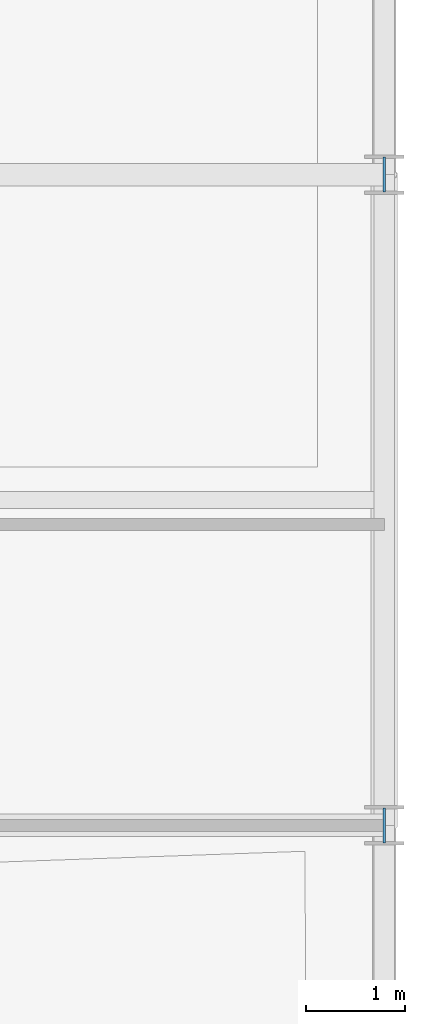
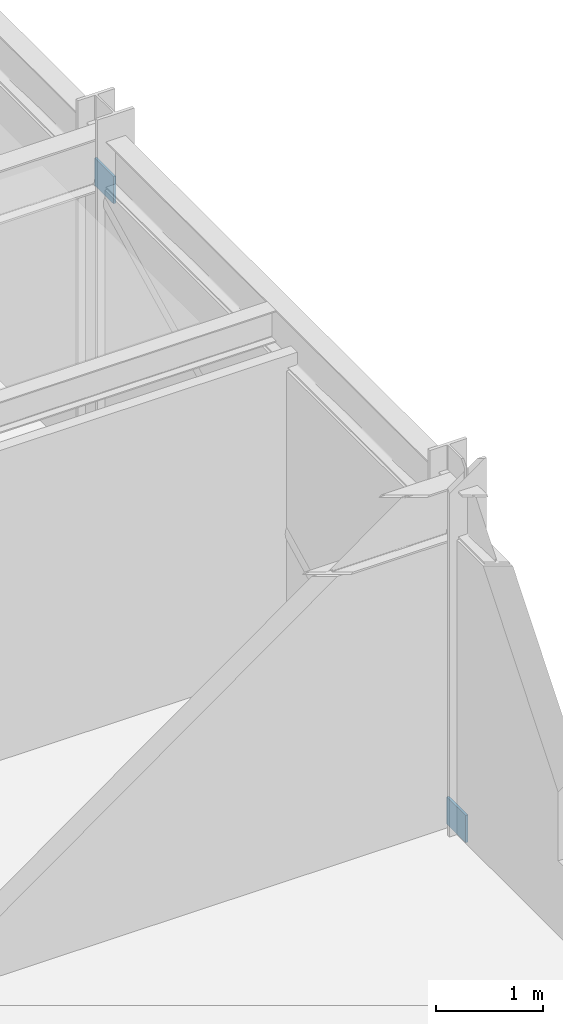
# One storey, part 120 of 148: 2 plates.
"""IFC4 building model written with IfcOpenShell, lengths in metres."""

from ifc_helpers import new_model, si_unit, direction, frame, origin, origin_2d, place, context, subcontext, project, spatial, rectangle, extrude, material, layer, layer_set, type_object, element, save


model = new_model("IFC4")

# Units and contexts
model_context = context("Model", 3, precision=1e-05, world=origin(), true_north=direction((0.0, 1.0)))
body_context = subcontext(model_context, "Body", "Model", "MODEL_VIEW")
ifc_project = project(units=[si_unit("LENGTHUNIT", "METRE"), si_unit("AREAUNIT", "SQUARE_METRE"), si_unit("VOLUMEUNIT", "CUBIC_METRE"), si_unit("PLANEANGLEUNIT", "RADIAN"), si_unit("MASSUNIT", "GRAM", prefix="KILO")], contexts=[model_context])

# Site, building, storey
site_placement = place(None, origin())
site = spatial("IfcSite", under=ifc_project, at=site_placement, CompositionType="ELEMENT")
building_placement = place(site_placement, origin())
building = spatial("IfcBuilding", under=site, at=building_placement, Name="Karori Crest Natural Sciences Institute", CompositionType="ELEMENT")
storey_placement = place(building_placement, frame((0.0, 0.0, 4.89990234375)))
storey = spatial("IfcBuildingStorey", under=building, at=storey_placement, Name="L01", CompositionType="ELEMENT", Elevation=4.89990234375)

# Plates
ifc_material = material(Name="Structural steel AS/NZS 3679.1 Grade 350", Category="steel")
ifc_layer = layer(ifc_material, 0.02490234375, Name="Structural steel AS/NZS 3679.1 Grade 350")
ifc_layer_set = layer_set([ifc_layer], Name="Structural steel AS/NZS 3679.1 Grade 350")
plate_type = type_object("IfcPlateType", Name="PLT-06-EL", PredefinedType="SHEET", material=ifc_layer_set)
for number, where, z_axis, x_axis, name in (
    (1, (162.199951171875, 7.39990234375, -0.146484375), (0.0, 0.0, 1.0), (0.0, 1.0, 0.0), "Brace gusset plate EP-0394"),
    (2, (162.199951171875, 14.0, 3.16162109375), (0.0, 0.0, 1.0), (0.0, 1.0, 0.0), "Brace gusset plate EP-0395"),
):
    element("IfcPlate", number, at=place(storey_placement, frame(where, z_axis=z_axis, x_axis=x_axis)), inside=storey, type_object=plate_type, Name=name, PredefinedType="SHEET", context=body_context, shape_type="SweptSolid", body=[
        extrude(rectangle(XDim=0.35302734375, YDim=0.02490234375, at=origin_2d()), origin(), (0.0, 0.0, 1.0), 0.31298828125),
    ])

save(model, "model.ifc")
